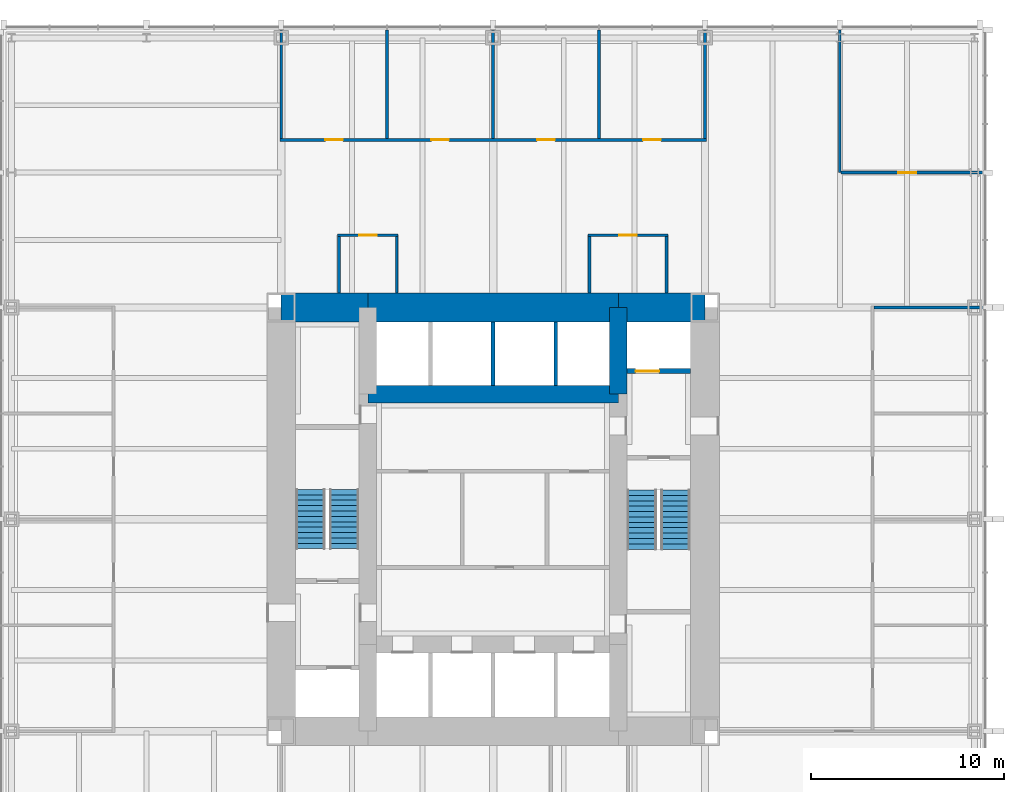
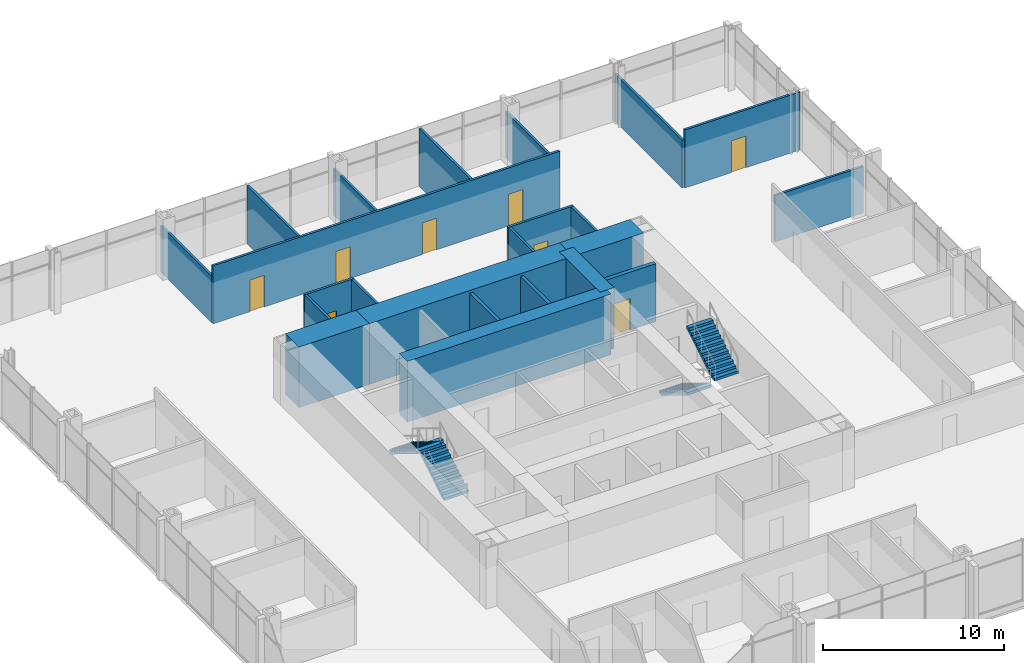
# One storey, part 11 of 12: 23 walls, 8 doors, 4 stair flights, 8 openings, 2 elements without a shape of their own.
"""IFC4 building model written with IfcOpenShell, lengths in metres."""

from ifc_helpers import new_model, si_unit, direction, frame, frame_2d, origin, place, context, subcontext, project, spatial, polyline, rectangle, outline, extrude, material, layer, layer_set, type_object, element, fill, aggregate, save


model = new_model("IFC4")

# Units and contexts
model_context = context("Model", 3, precision=1e-05, world=origin(), true_north=direction((0.0, 1.0)))
body_context = subcontext(model_context, "Body", "Model", "MODEL_VIEW")
ifc_project = project(units=[si_unit("LENGTHUNIT", "METRE"), si_unit("AREAUNIT", "SQUARE_METRE"), si_unit("VOLUMEUNIT", "CUBIC_METRE"), si_unit("PLANEANGLEUNIT", "RADIAN"), si_unit("MASSUNIT", "GRAM", prefix="KILO")], contexts=[model_context])

# Site, building, storey
site_placement = place(None, origin())
site = spatial("IfcSite", under=ifc_project, at=site_placement, CompositionType="ELEMENT")
building_placement = place(site_placement, origin())
building = spatial("IfcBuilding", under=site, at=building_placement, Name="Trevanion Tower", CompositionType="ELEMENT")
storey_placement = place(building_placement, frame((0.0, 0.0, 69.300048828125)))
storey = spatial("IfcBuildingStorey", under=building, at=storey_placement, Name="L16", CompositionType="ELEMENT", Elevation=69.300048828125)

# Walls
ifc_material_1 = material(Name="Concrete 10,000 psi", Category="concrete")
ifc_layer_1 = layer(ifc_material_1, 1.5)
ifc_layer_set_1 = layer_set([ifc_layer_1], Name="CW1 core wall 1500")
wall_type_1 = type_object("IfcWallType", Name="CW1 core wall 1500", PredefinedType="SHEAR", material=ifc_layer_set_1)
wall_1_placement = place(storey_placement, frame((11.0, 11.0, 0.0), z_axis=(0.0, 0.0, 1.0), x_axis=(-1.0, 0.0, 0.0)))
element("IfcWall", 1, at=wall_1_placement, inside=storey, type_object=wall_type_1, Name="CW1 CN1 L16", PredefinedType="SHEAR", context=body_context, shape_type="SweptSolid", body=[
    extrude(rectangle(XDim=4.5, YDim=1.5, at=frame_2d((2.25, 0.0))), origin(), (0.0, 0.0, 1.0), 4.099853515625),
])
wall_2_placement = place(storey_placement, frame((6.5, 11.0, 0.0), z_axis=(0.0, 0.0, 1.0), x_axis=(-1.0, 0.0, 0.0)))
element("IfcWall", 2, at=wall_2_placement, inside=storey, type_object=wall_type_1, Name="CW1 CN2 L16", PredefinedType="SHEAR", context=body_context, shape_type="SweptSolid", body=[
    extrude(rectangle(XDim=13.0, YDim=1.5, at=frame_2d((6.5, 0.0))), origin(), (0.0, 0.0, 1.0), 4.099853515625),
])
wall_3_placement = place(storey_placement, frame((-6.5, 11.0, 0.0), z_axis=(0.0, 0.0, 1.0), x_axis=(-1.0, 0.0, 0.0)))
element("IfcWall", 3, at=wall_3_placement, inside=storey, type_object=wall_type_1, Name="CW1 CN3 L16", PredefinedType="SHEAR", context=body_context, shape_type="SweptSolid", body=[
    extrude(rectangle(XDim=4.5, YDim=1.5, at=frame_2d((2.25, 0.0))), origin(), (0.0, 0.0, 1.0), 4.099853515625),
])
ifc_material_2 = material(Name="Concrete 10,000 psi", Category="concrete")
ifc_layer_2 = layer(ifc_material_2, 0.89990234375)
ifc_layer_set_2 = layer_set([ifc_layer_2], Name="CW2 core wall 900")
wall_type_2 = type_object("IfcWallType", Name="CW2 core wall 900", PredefinedType="SHEAR", material=ifc_layer_set_2)
wall_4_placement = place(storey_placement, frame((6.5, 6.5, 0.0), z_axis=(0.0, 0.0, 1.0), x_axis=(0.0, 1.0, 0.0)))
element("IfcWall", 4, at=wall_4_placement, inside=storey, type_object=wall_type_2, Name="CW2 RE3 L16", PredefinedType="SHEAR", context=body_context, shape_type="SweptSolid", body=[
    extrude(rectangle(XDim=4.5, YDim=0.89990234375, at=frame_2d((2.25, 0.0))), origin(), (0.0, 0.0, 1.0), 4.099853515625),
])
wall_5_placement = place(storey_placement, frame((6.5, 6.5, 0.0), z_axis=(0.0, 0.0, 1.0), x_axis=(-1.0, 0.0, 0.0)))
element("IfcWall", 5, at=wall_5_placement, inside=storey, type_object=wall_type_2, Name="CW2 RN L16", PredefinedType="SHEAR", context=body_context, shape_type="SweptSolid", body=[
    extrude(rectangle(XDim=13.0, YDim=0.89990234375, at=frame_2d((6.5, 0.0))), origin(), (0.0, 0.0, 1.0), 4.099853515625),
])
ifc_material_3 = material(Name="Gypsum board on steel studs", Category="steel")
ifc_layer_3 = layer(ifc_material_3, 0.14990234375)
ifc_layer_set_3 = layer_set([ifc_layer_3], Name="PT1 partition 150")
wall_type_3 = type_object("IfcWallType", Name="PT1 partition 150", PredefinedType="PARTITIONING", material=ifc_layer_set_3)
wall_6_placement = place(storey_placement, frame((18.0, 18.0, 0.0), z_axis=(0.0, 0.0, 1.0), x_axis=(0.0, 1.0, 0.0)))
element("IfcWall", 6, at=wall_6_placement, inside=storey, type_object=wall_type_3, Name="PT1 L16 KW0a", PredefinedType="PARTITIONING", context=body_context, shape_type="SweptSolid", body=[
    extrude(rectangle(XDim=7.4150390625, YDim=0.14990234375, at=frame_2d((3.70751953125, 0.0))), origin(), (0.0, 0.0, 1.0), 3.216552734375),
])

# Wall, opening, door
wall_7_placement = place(storey_placement, frame((18.074951171875, 18.0, 0.0), z_axis=(0.0, 0.0, 1.0), x_axis=(1.0, 0.0, 0.0)))
wall_7 = element("IfcWall", 7, at=wall_7_placement, inside=storey, type_object=wall_type_3, Name="PT1 L16 KW0b", PredefinedType="PARTITIONING", context=body_context, shape_type="SweptSolid", body=[
    extrude(rectangle(XDim=7.340087890625, YDim=0.14990234375, at=frame_2d((3.669921875, 0.0))), origin(), (0.0, 0.0, 1.0), 3.909912109375),
])
opening_1_placement = place(wall_7_placement, frame((2.967529296875, 0.0, 0.0)))
opening_1 = element("IfcOpeningElement", 8, at=opening_1_placement, cuts=wall_7, Name="Opening 16-020", PredefinedType="OPENING", context=body_context, shape_type="SweptSolid", body=[
    extrude(rectangle(XDim=0.9150390625, YDim=2.134033203125, at=frame_2d((0.45751953125, 1.06689453125))), frame((0.0, 0.0849609375, 0.0), z_axis=(0.0, -1.0, 0.0), x_axis=(1.0, 0.0, 0.0)), (0.0, 0.0, 1.0), 0.169921875),
])
ifc_material_4 = material(Name="Timber veneer, solid core", Category="wood")
door_type_1 = type_object("IfcDoorType", Name="D1 office and meeting room door", OperationType="SINGLE_SWING_LEFT", PredefinedType="DOOR", material=ifc_material_4)
door_1_placement = place(opening_1_placement, origin())
door_1 = element("IfcDoor", 9, at=door_1_placement, inside=storey, type_object=door_type_1, Name="Door 16-020", OperationType="SINGLE_SWING_LEFT", OverallHeight=2.134033203125, OverallWidth=0.9150390625, PredefinedType="DOOR", context=body_context, shape_type="SweptSolid", body=[
    extrude(rectangle(XDim=0.9150390625, YDim=2.134033203125, at=frame_2d((0.45751953125, 1.06689453125))), frame((0.0, 0.02490234375, 0.0), z_axis=(0.0, -1.0, 0.0), x_axis=(1.0, 0.0, 0.0)), (0.0, 0.0, 1.0), 0.050048828125),
])
fill(opening_1, door_1)

# Wall, openings, doors
wall_8_placement = place(storey_placement, frame((11.074951171875, 19.699951171875, 0.0), z_axis=(0.0, 0.0, 1.0), x_axis=(-1.0, 0.0, 0.0)))
wall_8 = element("IfcWall", 10, at=wall_8_placement, inside=storey, type_object=wall_type_3, Name="PT1 L16 FC1F", PredefinedType="PARTITIONING", context=body_context, shape_type="SweptSolid", body=[
    extrude(rectangle(XDim=22.14990234375, YDim=0.14990234375, at=frame_2d((11.074951171875, 0.0))), origin(), (0.0, 0.0, 1.0), 3.909912109375),
])
opening_2_placement = place(wall_8_placement, frame((2.367431640625, 0.0, 0.0)))
opening_2 = element("IfcOpeningElement", 11, at=opening_2_placement, cuts=wall_8, Name="Opening 16-022", PredefinedType="OPENING", context=body_context, shape_type="SweptSolid", body=[
    extrude(rectangle(XDim=0.9150390625, YDim=2.134033203125, at=frame_2d((0.45751953125, 1.06689453125))), frame((0.0, 0.0849609375, 0.0), z_axis=(0.0, -1.0, 0.0), x_axis=(1.0, 0.0, 0.0)), (0.0, 0.0, 1.0), 0.169921875),
])
opening_3_placement = place(wall_8_placement, frame((7.867431640625, 0.0, 0.0)))
opening_3 = element("IfcOpeningElement", 12, at=opening_3_placement, cuts=wall_8, Name="Opening 16-023", PredefinedType="OPENING", context=body_context, shape_type="SweptSolid", body=[
    extrude(rectangle(XDim=0.9150390625, YDim=2.134033203125, at=frame_2d((0.45751953125, 1.06689453125))), frame((0.0, 0.0849609375, 0.0), z_axis=(0.0, -1.0, 0.0), x_axis=(1.0, 0.0, 0.0)), (0.0, 0.0, 1.0), 0.169921875),
])
opening_4_placement = place(wall_8_placement, frame((13.367431640625, 0.0, 0.0)))
opening_4 = element("IfcOpeningElement", 13, at=opening_4_placement, cuts=wall_8, Name="Opening 16-024", PredefinedType="OPENING", context=body_context, shape_type="SweptSolid", body=[
    extrude(rectangle(XDim=0.9150390625, YDim=2.134033203125, at=frame_2d((0.45751953125, 1.06689453125))), frame((0.0, 0.0849609375, 0.0), z_axis=(0.0, -1.0, 0.0), x_axis=(1.0, 0.0, 0.0)), (0.0, 0.0, 1.0), 0.169921875),
])
opening_5_placement = place(wall_8_placement, frame((18.867431640625, 0.0, 0.0)))
opening_5 = element("IfcOpeningElement", 14, at=opening_5_placement, cuts=wall_8, Name="Opening 16-025", PredefinedType="OPENING", context=body_context, shape_type="SweptSolid", body=[
    extrude(rectangle(XDim=0.9150390625, YDim=2.134033203125, at=frame_2d((0.45751953125, 1.06689453125))), frame((0.0, 0.0849609375, 0.0), z_axis=(0.0, -1.0, 0.0), x_axis=(1.0, 0.0, 0.0)), (0.0, 0.0, 1.0), 0.169921875),
])
door_2_placement = place(opening_2_placement, origin())
door_2 = element("IfcDoor", 15, at=door_2_placement, inside=storey, type_object=door_type_1, Name="Door 16-022", OperationType="SINGLE_SWING_LEFT", OverallHeight=2.134033203125, OverallWidth=0.9150390625, PredefinedType="DOOR", context=body_context, shape_type="SweptSolid", body=[
    extrude(rectangle(XDim=0.9150390625, YDim=2.134033203125, at=frame_2d((0.45751953125, 1.06689453125))), frame((0.0, 0.02490234375, 0.0), z_axis=(0.0, -1.0, 0.0), x_axis=(1.0, 0.0, 0.0)), (0.0, 0.0, 1.0), 0.050048828125),
])
fill(opening_2, door_2)
door_3_placement = place(opening_3_placement, origin())
door_3 = element("IfcDoor", 16, at=door_3_placement, inside=storey, type_object=door_type_1, Name="Door 16-023", OperationType="SINGLE_SWING_LEFT", OverallHeight=2.134033203125, OverallWidth=0.9150390625, PredefinedType="DOOR", context=body_context, shape_type="SweptSolid", body=[
    extrude(rectangle(XDim=0.9150390625, YDim=2.134033203125, at=frame_2d((0.45751953125, 1.06689453125))), frame((0.0, 0.02490234375, 0.0), z_axis=(0.0, -1.0, 0.0), x_axis=(1.0, 0.0, 0.0)), (0.0, 0.0, 1.0), 0.050048828125),
])
fill(opening_3, door_3)
door_4_placement = place(opening_4_placement, origin())
door_4 = element("IfcDoor", 17, at=door_4_placement, inside=storey, type_object=door_type_1, Name="Door 16-024", OperationType="SINGLE_SWING_LEFT", OverallHeight=2.134033203125, OverallWidth=0.9150390625, PredefinedType="DOOR", context=body_context, shape_type="SweptSolid", body=[
    extrude(rectangle(XDim=0.9150390625, YDim=2.134033203125, at=frame_2d((0.45751953125, 1.06689453125))), frame((0.0, 0.02490234375, 0.0), z_axis=(0.0, -1.0, 0.0), x_axis=(1.0, 0.0, 0.0)), (0.0, 0.0, 1.0), 0.050048828125),
])
fill(opening_4, door_4)
door_5_placement = place(opening_5_placement, origin())
door_5 = element("IfcDoor", 18, at=door_5_placement, inside=storey, type_object=door_type_1, Name="Door 16-025", OperationType="SINGLE_SWING_LEFT", OverallHeight=2.134033203125, OverallWidth=0.9150390625, PredefinedType="DOOR", context=body_context, shape_type="SweptSolid", body=[
    extrude(rectangle(XDim=0.9150390625, YDim=2.134033203125, at=frame_2d((0.45751953125, 1.06689453125))), frame((0.0, 0.02490234375, 0.0), z_axis=(0.0, -1.0, 0.0), x_axis=(1.0, 0.0, 0.0)), (0.0, 0.0, 1.0), 0.050048828125),
])
fill(opening_5, door_5)

# Walls
wall_9_placement = place(storey_placement, frame((11.0, 19.77490234375, 0.0), z_axis=(0.0, 0.0, 1.0), x_axis=(0.0, 1.0, 0.0)))
element("IfcWall", 19, at=wall_9_placement, inside=storey, type_object=wall_type_3, Name="PT1 L16 FC1S0", PredefinedType="PARTITIONING", context=body_context, shape_type="SweptSolid", body=[
    extrude(rectangle(XDim=5.64013671875, YDim=0.14990234375, at=frame_2d((2.820068359375, 0.0))), origin(), (0.0, 0.0, 1.0), 3.130126953125),
])
wall_10_placement = place(storey_placement, frame((5.5, 19.77490234375, 0.0), z_axis=(0.0, 0.0, 1.0), x_axis=(0.0, 1.0, 0.0)))
element("IfcWall", 20, at=wall_10_placement, inside=storey, type_object=wall_type_3, Name="PT1 L16 FC1S2", PredefinedType="PARTITIONING", context=body_context, shape_type="SweptSolid", body=[
    extrude(rectangle(XDim=5.64013671875, YDim=0.14990234375, at=frame_2d((2.820068359375, 0.0))), origin(), (0.0, 0.0, 1.0), 3.909912109375),
])
wall_11_placement = place(storey_placement, frame((0.0, 19.77490234375, 0.0), z_axis=(0.0, 0.0, 1.0), x_axis=(0.0, 1.0, 0.0)))
element("IfcWall", 21, at=wall_11_placement, inside=storey, type_object=wall_type_3, Name="PT1 L16 FC1S4", PredefinedType="PARTITIONING", context=body_context, shape_type="SweptSolid", body=[
    extrude(rectangle(XDim=5.64013671875, YDim=0.14990234375, at=frame_2d((2.820068359375, 0.0))), origin(), (0.0, 0.0, 1.0), 3.130126953125),
])
wall_12_placement = place(storey_placement, frame((-5.5, 19.77490234375, 0.0), z_axis=(0.0, 0.0, 1.0), x_axis=(0.0, 1.0, 0.0)))
element("IfcWall", 22, at=wall_12_placement, inside=storey, type_object=wall_type_3, Name="PT1 L16 FC1S6", PredefinedType="PARTITIONING", context=body_context, shape_type="SweptSolid", body=[
    extrude(rectangle(XDim=5.64013671875, YDim=0.14990234375, at=frame_2d((2.820068359375, 0.0))), origin(), (0.0, 0.0, 1.0), 3.909912109375),
])
for number, where, z_axis, x_axis, name in (
    (23, (-11.0, 19.77490234375, 0.0), (0.0, 0.0, 1.0), (0.0, 1.0, 0.0), "PT1 L16 FC1S8"),
    (24, (19.77490234375, 11.0, 0.0), (0.0, 0.0, 1.0), (1.0, 0.0, 0.0), "PT1 L16 FC0S8"),
):
    element("IfcWall", number, at=place(storey_placement, frame(where, z_axis=z_axis, x_axis=x_axis)), inside=storey, type_object=wall_type_3, Name=name, PredefinedType="PARTITIONING", context=body_context, shape_type="SweptSolid", body=[
        extrude(rectangle(XDim=5.64013671875, YDim=0.14990234375, at=frame_2d((2.820068359375, 0.0))), origin(), (0.0, 0.0, 1.0), 3.130126953125),
    ])

# Wall, opening, door
wall_13_placement = place(storey_placement, frame((9.074951171875, 14.75, 0.0), z_axis=(0.0, 0.0, 1.0), x_axis=(-1.0, 0.0, 0.0)))
wall_13 = element("IfcWall", 25, at=wall_13_placement, inside=storey, type_object=wall_type_3, Name="PT1 L16 IN10F", PredefinedType="PARTITIONING", context=body_context, shape_type="SweptSolid", body=[
    extrude(rectangle(XDim=4.14990234375, YDim=0.14990234375, at=frame_2d((2.074951171875, 0.0))), origin(), (0.0, 0.0, 1.0), 3.909912109375),
])
opening_6_placement = place(wall_13_placement, frame((1.617431640625, 0.0, 0.0)))
opening_6 = element("IfcOpeningElement", 26, at=opening_6_placement, cuts=wall_13, Name="Opening 16-040", PredefinedType="OPENING", context=body_context, shape_type="SweptSolid", body=[
    extrude(rectangle(XDim=0.9150390625, YDim=2.134033203125, at=frame_2d((0.45751953125, 1.06689453125))), frame((0.0, 0.0849609375, 0.0), z_axis=(0.0, -1.0, 0.0), x_axis=(1.0, 0.0, 0.0)), (0.0, 0.0, 1.0), 0.169921875),
])
door_6_placement = place(opening_6_placement, origin())
door_6 = element("IfcDoor", 27, at=door_6_placement, inside=storey, type_object=door_type_1, Name="Door 16-040", OperationType="SINGLE_SWING_LEFT", OverallHeight=2.134033203125, OverallWidth=0.9150390625, PredefinedType="DOOR", context=body_context, shape_type="SweptSolid", body=[
    extrude(rectangle(XDim=0.9150390625, YDim=2.134033203125, at=frame_2d((0.45751953125, 1.06689453125))), frame((0.0, 0.02490234375, 0.0), z_axis=(0.0, -1.0, 0.0), x_axis=(1.0, 0.0, 0.0)), (0.0, 0.0, 1.0), 0.050048828125),
])
fill(opening_6, door_6)

# Walls
for number, where, z_axis, x_axis, name in (
    (28, (9.0, 14.675048828125, 0.0), (0.0, 0.0, 1.0), (0.0, -1.0, 0.0), "PT1 L16 IN10S0"),
    (29, (5.0, 14.675048828125, 0.0), (0.0, 0.0, 1.0), (0.0, -1.0, 0.0), "PT1 L16 IN10S1"),
):
    element("IfcWall", number, at=place(storey_placement, frame(where, z_axis=z_axis, x_axis=x_axis)), inside=storey, type_object=wall_type_3, Name=name, PredefinedType="PARTITIONING", context=body_context, shape_type="SweptSolid", body=[
        extrude(rectangle(XDim=2.925048828125, YDim=0.14990234375, at=frame_2d((1.46240234375, 0.0))), origin(), (0.0, 0.0, 1.0), 3.909912109375),
    ])

# Wall, opening, door
wall_14_placement = place(storey_placement, frame((-4.925048828125, 14.75, 0.0), z_axis=(0.0, 0.0, 1.0), x_axis=(-1.0, 0.0, 0.0)))
wall_14 = element("IfcWall", 30, at=wall_14_placement, inside=storey, type_object=wall_type_3, Name="PT1 L16 IN11F", PredefinedType="PARTITIONING", context=body_context, shape_type="SweptSolid", body=[
    extrude(rectangle(XDim=3.14990234375, YDim=0.14990234375, at=frame_2d((1.574951171875, 0.0))), origin(), (0.0, 0.0, 1.0), 3.909912109375),
])
opening_7_placement = place(wall_14_placement, frame((1.117431640625, 0.0, 0.0)))
opening_7 = element("IfcOpeningElement", 31, at=opening_7_placement, cuts=wall_14, Name="Opening 16-041", PredefinedType="OPENING", context=body_context, shape_type="SweptSolid", body=[
    extrude(rectangle(XDim=0.9150390625, YDim=2.134033203125, at=frame_2d((0.45751953125, 1.06689453125))), frame((0.0, 0.0849609375, 0.0), z_axis=(0.0, -1.0, 0.0), x_axis=(1.0, 0.0, 0.0)), (0.0, 0.0, 1.0), 0.169921875),
])
door_7_placement = place(opening_7_placement, origin())
door_7 = element("IfcDoor", 32, at=door_7_placement, inside=storey, type_object=door_type_1, Name="Door 16-041", OperationType="SINGLE_SWING_LEFT", OverallHeight=2.134033203125, OverallWidth=0.9150390625, PredefinedType="DOOR", context=body_context, shape_type="SweptSolid", body=[
    extrude(rectangle(XDim=0.9150390625, YDim=2.134033203125, at=frame_2d((0.45751953125, 1.06689453125))), frame((0.0, 0.02490234375, 0.0), z_axis=(0.0, -1.0, 0.0), x_axis=(1.0, 0.0, 0.0)), (0.0, 0.0, 1.0), 0.050048828125),
])
fill(opening_7, door_7)

# Walls
for number, where, z_axis, x_axis, name in (
    (33, (-5.0, 14.675048828125, 0.0), (0.0, 0.0, 1.0), (0.0, -1.0, 0.0), "PT1 L16 IN11S0"),
    (34, (-8.0, 14.675048828125, 0.0), (0.0, 0.0, 1.0), (0.0, -1.0, 0.0), "PT1 L16 IN11S1"),
):
    element("IfcWall", number, at=place(storey_placement, frame(where, z_axis=z_axis, x_axis=x_axis)), inside=storey, type_object=wall_type_3, Name=name, PredefinedType="PARTITIONING", context=body_context, shape_type="SweptSolid", body=[
        extrude(rectangle(XDim=2.925048828125, YDim=0.14990234375, at=frame_2d((1.46240234375, 0.0))), origin(), (0.0, 0.0, 1.0), 3.909912109375),
    ])
ifc_material_5 = material(Name="Concrete masonry, grouted", Category="masonry")
ifc_layer_4 = layer(ifc_material_5, 0.199951171875)
ifc_layer_set_4 = layer_set([ifc_layer_4], Name="PT2 partition 200 2 HR")
wall_type_4 = type_object("IfcWallType", Name="PT2 partition 200 2 HR", PredefinedType="PARTITIONING", material=ifc_layer_set_4)
for number, where, z_axis, x_axis, name in (
    (35, (0.0, 6.949951171875, 0.0), (0.0, 0.0, 1.0), (0.0, 1.0, 0.0), "PT2 L16 NS1"),
    (36, (3.25, 6.949951171875, 0.0), (0.0, 0.0, 1.0), (0.0, 1.0, 0.0), "PT2 L16 NS2"),
):
    element("IfcWall", number, at=place(storey_placement, frame(where, z_axis=z_axis, x_axis=x_axis)), inside=storey, type_object=wall_type_4, Name=name, PredefinedType="PARTITIONING", context=body_context, shape_type="SweptSolid", body=[
        extrude(rectangle(XDim=3.300048828125, YDim=0.199951171875, at=frame_2d((1.64990234375, 0.0))), origin(), (0.0, 0.0, 1.0), 3.909912109375),
    ])

# Wall, opening, door
ifc_material_6 = material(Name="Concrete masonry, grouted, two-hour", Category="masonry")
ifc_layer_5 = layer(ifc_material_6, 0.25)
ifc_layer_set_5 = layer_set([ifc_layer_5], Name="PT3 partition 250 2 HR")
wall_type_5 = type_object("IfcWallType", Name="PT3 partition 250 2 HR", PredefinedType="PARTITIONING", material=ifc_layer_set_5)
wall_15_placement = place(storey_placement, frame((6.949951171875, 7.699951171875, 0.0), z_axis=(0.0, 0.0, 1.0), x_axis=(1.0, 0.0, 0.0)))
wall_15 = element("IfcWall", 37, at=wall_15_placement, inside=storey, type_object=wall_type_5, Name="PT3 L16 EP3", PredefinedType="PARTITIONING", context=body_context, shape_type="SweptSolid", body=[
    extrude(rectangle(XDim=3.300048828125, YDim=0.25, at=frame_2d((1.64990234375, 0.0))), origin(), (0.0, 0.0, 1.0), 3.909912109375),
])
opening_8_placement = place(wall_15_placement, frame((0.449951171875, 0.0, 0.0)))
opening_8 = element("IfcOpeningElement", 38, at=opening_8_placement, cuts=wall_15, Name="Opening 16-007", PredefinedType="OPENING", context=body_context, shape_type="SweptSolid", body=[
    extrude(rectangle(XDim=1.218994140625, YDim=2.134033203125, at=frame_2d((0.609375, 1.06689453125))), frame((0.0, 0.135009765625, 0.0), z_axis=(0.0, -1.0, 0.0), x_axis=(1.0, 0.0, 0.0)), (0.0, 0.0, 1.0), 0.27001953125),
])
ifc_material_7 = material(Name="Stainless steel, fire rated", Category="steel")
door_type_2 = type_object("IfcDoorType", Name="LD2 fire service lift landing door", OperationType="SLIDING_TO_LEFT", PredefinedType="DOOR", material=ifc_material_7)
door_8_placement = place(opening_8_placement, origin())
door_8 = element("IfcDoor", 39, at=door_8_placement, inside=storey, type_object=door_type_2, Name="Door 16-007", OperationType="SLIDING_TO_LEFT", OverallHeight=2.134033203125, OverallWidth=1.218994140625, PredefinedType="DOOR", context=body_context, shape_type="SweptSolid", body=[
    extrude(rectangle(XDim=1.218994140625, YDim=2.134033203125, at=frame_2d((0.609375, 1.06689453125))), frame((0.0, 0.02490234375, 0.0), z_axis=(0.0, -1.0, 0.0), x_axis=(1.0, 0.0, 0.0)), (0.0, 0.0, 1.0), 0.050048828125),
])
fill(opening_8, door_8)

# Stair, stair flights
ifc_material_8 = material(Name="Concrete 5,000 psi on steel stringers", Category="concrete")
stair_type = type_object("IfcStairType", Name="ST stair", PredefinedType="HALF_TURN_STAIR", material=ifc_material_8)
stair_1_placement = place(storey_placement, origin())
stair_1 = element("IfcStair", 40, at=stair_1_placement, inside=storey, type_object=stair_type, Name="ST1 L16", PredefinedType="HALF_TURN_STAIR")
ifc_material_9 = material(Name="Concrete 5,000 psi in steel pan", Category="concrete")
stair_flight_type = type_object("IfcStairFlightType", Name="STF stair flight", PredefinedType="STRAIGHT", material=ifc_material_9)
stair_flight_1_placement = place(storey_placement, frame((7.72509765625, 1.52490234375, 0.0), z_axis=(0.0, 0.0, 1.0), x_axis=(0.0, -1.0, 0.0)))
stair_flight_1 = element("IfcStairFlight", 41, at=stair_flight_1_placement, type_object=stair_flight_type, Name="ST1 flight 1", NumberOfRisers=12, NumberOfTreads=11, PredefinedType="STRAIGHT", RiserHeight=0.170833333, TreadLength=0.28, context=body_context, shape_type="SweptSolid", body=[
    extrude(outline(polyline([(0.0, 0.0), (0.0, 0.1708984375), (0.280029296875, 0.1708984375), (0.280029296875, 0.341552734375), (0.56005859375, 0.341552734375), (0.56005859375, 0.512451171875), (0.840087890625, 0.512451171875), (0.840087890625, 0.683349609375), (1.1201171875, 0.683349609375), (1.1201171875, 0.854248046875), (1.39990234375, 0.854248046875), (1.39990234375, 1.02490234375), (1.679931640625, 1.02490234375), (1.679931640625, 1.19580078125), (1.9599609375, 1.19580078125), (1.9599609375, 1.36669921875), (2.239990234375, 1.36669921875), (2.239990234375, 1.53759765625), (2.52001953125, 1.53759765625), (2.52001953125, 1.708251953125), (2.800048828125, 1.708251953125), (2.800048828125, 1.879150390625), (3.080078125, 1.879150390625), (3.080078125, 2.050048828125), (3.080078125, 1.70361328125), (0.287841796875, 0.0), (0.0, 0.0)])), frame((0.0, 0.77490234375, 0.0), z_axis=(0.0, -1.0, 0.0), x_axis=(1.0, 0.0, 0.0)), (0.0, 0.0, 1.0), 1.550048828125),
])
stair_flight_2_placement = place(storey_placement, frame((9.47509765625, -1.554931640625, 2.050048828125), z_axis=(0.0, 0.0, 1.0), x_axis=(0.0, 1.0, 0.0)))
stair_flight_2 = element("IfcStairFlight", 42, at=stair_flight_2_placement, type_object=stair_flight_type, Name="ST1 flight 2", NumberOfRisers=12, NumberOfTreads=11, PredefinedType="STRAIGHT", RiserHeight=0.170833333, TreadLength=0.28, context=body_context, shape_type="SweptSolid", body=[
    extrude(outline(polyline([(0.0, 0.0), (0.0, 0.1708984375), (0.280029296875, 0.1708984375), (0.280029296875, 0.341552734375), (0.56005859375, 0.341552734375), (0.56005859375, 0.512451171875), (0.840087890625, 0.512451171875), (0.840087890625, 0.683349609375), (1.1201171875, 0.683349609375), (1.1201171875, 0.854248046875), (1.39990234375, 0.854248046875), (1.39990234375, 1.02490234375), (1.679931640625, 1.02490234375), (1.679931640625, 1.19580078125), (1.9599609375, 1.19580078125), (1.9599609375, 1.36669921875), (2.239990234375, 1.36669921875), (2.239990234375, 1.53759765625), (2.52001953125, 1.53759765625), (2.52001953125, 1.708251953125), (2.800048828125, 1.708251953125), (2.800048828125, 1.879150390625), (3.080078125, 1.879150390625), (3.080078125, 2.050048828125), (3.080078125, 1.70361328125), (0.287841796875, 0.0), (0.0, 0.0)])), frame((0.0, 0.77490234375, 0.0), z_axis=(0.0, -1.0, 0.0), x_axis=(1.0, 0.0, 0.0)), (0.0, 0.0, 1.0), 1.550048828125),
])
aggregate(stair_1, [stair_flight_1, stair_flight_2])

stair_2_placement = place(storey_placement, origin())
stair_2 = element("IfcStair", 43, at=stair_2_placement, inside=storey, type_object=stair_type, Name="ST2 L16", PredefinedType="HALF_TURN_STAIR")
stair_flight_3_placement = place(storey_placement, frame((-7.72509765625, -1.52490234375, 0.0), z_axis=(0.0, 0.0, 1.0), x_axis=(0.0, 1.0, 0.0)))
stair_flight_3 = element("IfcStairFlight", 44, at=stair_flight_3_placement, type_object=stair_flight_type, Name="ST2 flight 1", NumberOfRisers=12, NumberOfTreads=11, PredefinedType="STRAIGHT", RiserHeight=0.170833333, TreadLength=0.28, context=body_context, shape_type="SweptSolid", body=[
    extrude(outline(polyline([(0.0, 0.0), (0.0, 0.1708984375), (0.280029296875, 0.1708984375), (0.280029296875, 0.341552734375), (0.56005859375, 0.341552734375), (0.56005859375, 0.512451171875), (0.840087890625, 0.512451171875), (0.840087890625, 0.683349609375), (1.1201171875, 0.683349609375), (1.1201171875, 0.854248046875), (1.39990234375, 0.854248046875), (1.39990234375, 1.02490234375), (1.679931640625, 1.02490234375), (1.679931640625, 1.19580078125), (1.9599609375, 1.19580078125), (1.9599609375, 1.36669921875), (2.239990234375, 1.36669921875), (2.239990234375, 1.53759765625), (2.52001953125, 1.53759765625), (2.52001953125, 1.708251953125), (2.800048828125, 1.708251953125), (2.800048828125, 1.879150390625), (3.080078125, 1.879150390625), (3.080078125, 2.050048828125), (3.080078125, 1.70361328125), (0.287841796875, 0.0), (0.0, 0.0)])), frame((0.0, 0.77490234375, 0.0), z_axis=(0.0, -1.0, 0.0), x_axis=(1.0, 0.0, 0.0)), (0.0, 0.0, 1.0), 1.550048828125),
])
stair_flight_4_placement = place(storey_placement, frame((-9.47509765625, 1.554931640625, 2.050048828125), z_axis=(0.0, 0.0, 1.0), x_axis=(0.0, -1.0, 0.0)))
stair_flight_4 = element("IfcStairFlight", 45, at=stair_flight_4_placement, type_object=stair_flight_type, Name="ST2 flight 2", NumberOfRisers=12, NumberOfTreads=11, PredefinedType="STRAIGHT", RiserHeight=0.170833333, TreadLength=0.28, context=body_context, shape_type="SweptSolid", body=[
    extrude(outline(polyline([(0.0, 0.0), (0.0, 0.1708984375), (0.280029296875, 0.1708984375), (0.280029296875, 0.341552734375), (0.56005859375, 0.341552734375), (0.56005859375, 0.512451171875), (0.840087890625, 0.512451171875), (0.840087890625, 0.683349609375), (1.1201171875, 0.683349609375), (1.1201171875, 0.854248046875), (1.39990234375, 0.854248046875), (1.39990234375, 1.02490234375), (1.679931640625, 1.02490234375), (1.679931640625, 1.19580078125), (1.9599609375, 1.19580078125), (1.9599609375, 1.36669921875), (2.239990234375, 1.36669921875), (2.239990234375, 1.53759765625), (2.52001953125, 1.53759765625), (2.52001953125, 1.708251953125), (2.800048828125, 1.708251953125), (2.800048828125, 1.879150390625), (3.080078125, 1.879150390625), (3.080078125, 2.050048828125), (3.080078125, 1.70361328125), (0.287841796875, 0.0), (0.0, 0.0)])), frame((0.0, 0.77490234375, 0.0), z_axis=(0.0, -1.0, 0.0), x_axis=(1.0, 0.0, 0.0)), (0.0, 0.0, 1.0), 1.550048828125),
])
aggregate(stair_2, [stair_flight_3, stair_flight_4])

save(model, "model.ifc")
